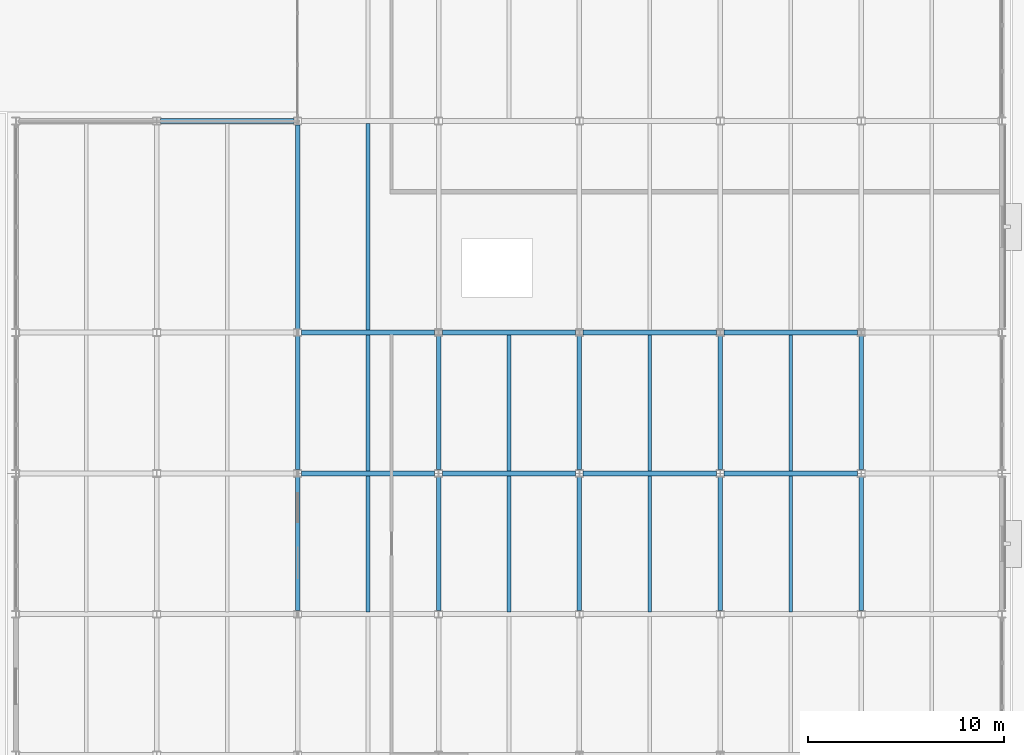
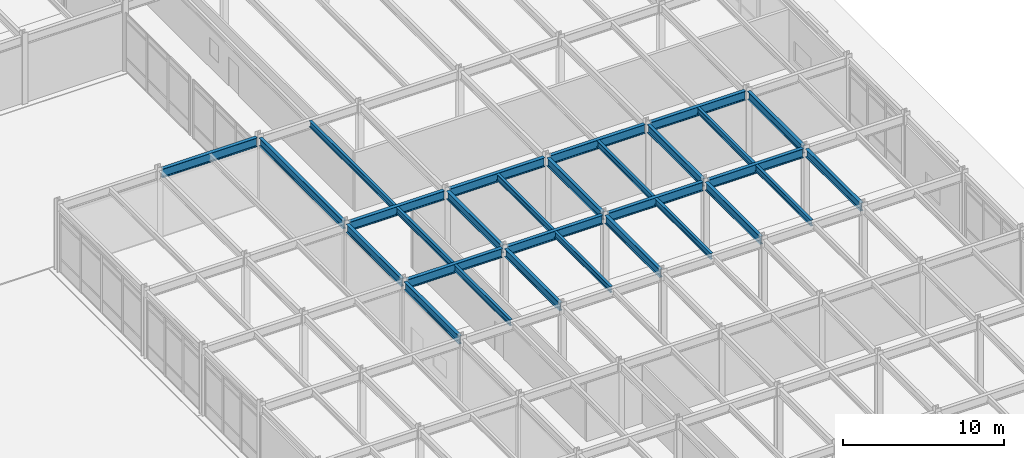
# One storey, part 45 of 104: 29 beams.
"""IFC4 building model written with IfcOpenShell, lengths in metres."""

from ifc_helpers import new_model, si_unit, direction, frame, origin, origin_2d, place, context, subcontext, project, spatial, i_section, extrude, material, material_profile, profile_set, type_object, element, save


model = new_model("IFC4")

# Units and contexts
model_context = context("Model", 3, precision=1e-05, world=origin(), true_north=direction((0.0, 1.0)))
body_context = subcontext(model_context, "Body", "Model", "MODEL_VIEW")
ifc_project = project(units=[si_unit("LENGTHUNIT", "METRE"), si_unit("AREAUNIT", "SQUARE_METRE"), si_unit("VOLUMEUNIT", "CUBIC_METRE"), si_unit("PLANEANGLEUNIT", "RADIAN"), si_unit("MASSUNIT", "GRAM", prefix="KILO")], contexts=[model_context])

# Site, building, storey
site_placement = place(None, origin())
site = spatial("IfcSite", under=ifc_project, at=site_placement, CompositionType="ELEMENT")
building_placement = place(site_placement, origin())
building = spatial("IfcBuilding", under=site, at=building_placement, Name="Vaelcorin Mobility Hub", CompositionType="ELEMENT")
storey_placement = place(building_placement, origin())
storey = spatial("IfcBuildingStorey", under=building, at=storey_placement, Name="L00", CompositionType="ELEMENT", Elevation=0.0)

# Beams
ifc_material = material(Name="Steel ASTM A992 Grade 50", Category="steel")
ifc_material_profile_1 = material_profile(ifc_material, i_section(OverallWidth=0.19091796875, OverallDepth=0.4599609375, WebThickness=0.010009765625, FlangeThickness=0.01611328125, FilletRadius=0.012939453125, at=origin_2d()), Name="W18X55")
ifc_profile_set_1 = profile_set([ifc_material_profile_1], Name="Steel ASTM A992 Grade 50")
beam_type_1 = type_object("IfcBeamType", Name="BM-W18X55", PredefinedType="JOIST", material=ifc_profile_set_1)
for number, where, z_axis, x_axis, name in (
    (1, (171.60009765625, 34.925048828125, 4.909912109375), (0.0, 1.0, 0.0), (-1.0, 0.0, 0.0), "L00 Beam V5-L00-J-03-05-1"),
    (2, (171.60009765625, 42.125, 4.909912109375), (0.0, 1.0, 0.0), (-1.0, 0.0, 0.0), "L00 Beam V5-L00-J-03-06-1"),
):
    element("IfcBeam", number, at=place(storey_placement, frame(where, z_axis=z_axis, x_axis=x_axis)), inside=storey, type_object=beam_type_1, Name=name, PredefinedType="JOIST", context=body_context, shape_type="SweptSolid", body=[
        extrude(i_section(OverallWidth=0.19091796875, OverallDepth=0.4599609375, WebThickness=0.010009765625, FlangeThickness=0.01611328125, FilletRadius=0.012939453125, at=origin_2d()), origin(), (0.0, 0.0, 1.0), 6.949951171875),
    ])
beam_1_placement = place(storey_placement, frame((171.60009765625, 49.324951171875, 4.909912109375), z_axis=(0.0, 1.0, 0.0), x_axis=(-1.0, 0.0, 0.0)))
element("IfcBeam", 3, at=beam_1_placement, inside=storey, type_object=beam_type_1, Name="L00 Beam V5-L00-J-03-07-1", PredefinedType="JOIST", context=body_context, shape_type="SweptSolid", body=[
    extrude(i_section(OverallWidth=0.19091796875, OverallDepth=0.4599609375, WebThickness=0.010009765625, FlangeThickness=0.01611328125, FilletRadius=0.012939453125, at=origin_2d()), origin(), (0.0, 0.0, 1.0), 10.550048828125),
])
for number, where, z_axis, x_axis, name in (
    (4, (178.800048828125, 34.925048828125, 4.909912109375), (0.0, 1.0, 0.0), (-1.0, 0.0, 0.0), "L00 Beam V5-L00-J-04-05-1"),
    (5, (178.800048828125, 42.125, 4.909912109375), (0.0, 1.0, 0.0), (-1.0, 0.0, 0.0), "L00 Beam V5-L00-J-04-06-1"),
    (6, (186.0, 34.925048828125, 4.909912109375), (0.0, 1.0, 0.0), (-1.0, 0.0, 0.0), "L00 Beam V5-L00-J-05-05-1"),
    (7, (186.0, 42.125, 4.909912109375), (0.0, 1.0, 0.0), (-1.0, 0.0, 0.0), "L00 Beam V5-L00-J-05-06-1"),
    (8, (193.199951171875, 34.925048828125, 4.909912109375), (0.0, 1.0, 0.0), (-1.0, 0.0, 0.0), "L00 Beam V5-L00-J-06-05-1"),
    (9, (193.199951171875, 42.125, 4.909912109375), (0.0, 1.0, 0.0), (-1.0, 0.0, 0.0), "L00 Beam V5-L00-J-06-06-1"),
):
    element("IfcBeam", number, at=place(storey_placement, frame(where, z_axis=z_axis, x_axis=x_axis)), inside=storey, type_object=beam_type_1, Name=name, PredefinedType="JOIST", context=body_context, shape_type="SweptSolid", body=[
        extrude(i_section(OverallWidth=0.19091796875, OverallDepth=0.4599609375, WebThickness=0.010009765625, FlangeThickness=0.01611328125, FilletRadius=0.012939453125, at=origin_2d()), origin(), (0.0, 0.0, 1.0), 6.949951171875),
    ])
ifc_material_profile_2 = material_profile(ifc_material, i_section(OverallWidth=0.22900390625, OverallDepth=0.612060546875, WebThickness=0.011962890625, FlangeThickness=0.01953125, FilletRadius=0.014892578125, at=origin_2d()), Name="W24X84")
ifc_profile_set_2 = profile_set([ifc_material_profile_2], Name="Steel ASTM A992 Grade 50")
beam_type_2 = type_object("IfcBeamType", Name="BM-W24X84", PredefinedType="BEAM", material=ifc_profile_set_2)
for number, where, z_axis, x_axis, name in (
    (10, (168.0, 34.988037109375, 4.833984375), (0.0, 1.0, 0.0), (-1.0, 0.0, 0.0), "L00 Beam V5-L00-GY-03-05"),
    (11, (168.0, 42.18798828125, 4.833984375), (0.0, 1.0, 0.0), (-1.0, 0.0, 0.0), "L00 Beam V5-L00-GY-03-06"),
):
    element("IfcBeam", number, at=place(storey_placement, frame(where, z_axis=z_axis, x_axis=x_axis)), inside=storey, type_object=beam_type_2, Name=name, PredefinedType="BEAM", context=body_context, shape_type="SweptSolid", body=[
        extrude(i_section(OverallWidth=0.22900390625, OverallDepth=0.612060546875, WebThickness=0.011962890625, FlangeThickness=0.01953125, FilletRadius=0.014892578125, at=origin_2d()), origin(), (0.0, 0.0, 1.0), 6.823974609375),
    ])
beam_2_placement = place(storey_placement, frame((168.0, 49.387939453125, 4.833984375), z_axis=(0.0, 1.0, 0.0), x_axis=(-1.0, 0.0, 0.0)))
element("IfcBeam", 12, at=beam_2_placement, inside=storey, type_object=beam_type_2, Name="L00 Beam V5-L00-GY-03-07", PredefinedType="BEAM", context=body_context, shape_type="SweptSolid", body=[
    extrude(i_section(OverallWidth=0.22900390625, OverallDepth=0.612060546875, WebThickness=0.011962890625, FlangeThickness=0.01953125, FilletRadius=0.014892578125, at=origin_2d()), origin(), (0.0, 0.0, 1.0), 10.424072265625),
])
for number, where, z_axis, x_axis, name in (
    (13, (175.199951171875, 34.988037109375, 4.833984375), (0.0, 1.0, 0.0), (-1.0, 0.0, 0.0), "L00 Beam V5-L00-GY-04-05"),
    (14, (175.199951171875, 42.18798828125, 4.833984375), (0.0, 1.0, 0.0), (-1.0, 0.0, 0.0), "L00 Beam V5-L00-GY-04-06"),
    (15, (182.39990234375, 34.988037109375, 4.833984375), (0.0, 1.0, 0.0), (-1.0, 0.0, 0.0), "L00 Beam V5-L00-GY-05-05"),
    (16, (182.39990234375, 42.18798828125, 4.833984375), (0.0, 1.0, 0.0), (-1.0, 0.0, 0.0), "L00 Beam V5-L00-GY-05-06"),
    (17, (189.60009765625, 34.988037109375, 4.833984375), (0.0, 1.0, 0.0), (-1.0, 0.0, 0.0), "L00 Beam V5-L00-GY-06-05"),
    (18, (189.60009765625, 42.18798828125, 4.833984375), (0.0, 1.0, 0.0), (-1.0, 0.0, 0.0), "L00 Beam V5-L00-GY-06-06"),
    (19, (196.800048828125, 34.988037109375, 4.833984375), (0.0, 1.0, 0.0), (-1.0, 0.0, 0.0), "L00 Beam V5-L00-GY-07-05"),
    (20, (196.800048828125, 42.18798828125, 4.833984375), (0.0, 1.0, 0.0), (-1.0, 0.0, 0.0), "L00 Beam V5-L00-GY-07-06"),
):
    element("IfcBeam", number, at=place(storey_placement, frame(where, z_axis=z_axis, x_axis=x_axis)), inside=storey, type_object=beam_type_2, Name=name, PredefinedType="BEAM", context=body_context, shape_type="SweptSolid", body=[
        extrude(i_section(OverallWidth=0.22900390625, OverallDepth=0.612060546875, WebThickness=0.011962890625, FlangeThickness=0.01953125, FilletRadius=0.014892578125, at=origin_2d()), origin(), (0.0, 0.0, 1.0), 6.823974609375),
    ])
ifc_material_profile_3 = material_profile(ifc_material, i_section(OverallWidth=0.25390625, OverallDepth=0.68310546875, WebThickness=0.012451171875, FlangeThickness=0.018798828125, FilletRadius=0.01611328125, at=origin_2d()), Name="W27X94")
ifc_profile_set_3 = profile_set([ifc_material_profile_3], Name="Steel ASTM A992 Grade 50")
beam_type_3 = type_object("IfcBeamType", Name="BM-W27X94", PredefinedType="BEAM", material=ifc_profile_set_3)
beam_3_placement = place(storey_placement, frame((168.196044921875, 42.0, 4.798095703125), z_axis=(1.0, 0.0, 0.0), x_axis=(0.0, 1.0, 0.0)))
element("IfcBeam", 21, at=beam_3_placement, inside=storey, type_object=beam_type_3, Name="L00 Beam V5-L00-GX-06-03", PredefinedType="BEAM", context=body_context, shape_type="SweptSolid", body=[
    extrude(i_section(OverallWidth=0.25390625, OverallDepth=0.68310546875, WebThickness=0.012451171875, FlangeThickness=0.018798828125, FilletRadius=0.01611328125, at=origin_2d()), origin(), (0.0, 0.0, 1.0), 6.807861328125),
])
for number, where, z_axis, x_axis, name in (
    (22, (175.39599609375, 42.0, 4.798095703125), (1.0, 0.0, 0.0), (0.0, 1.0, 0.0), "L00 Beam V5-L00-GX-06-04"),
    (23, (182.595947265625, 42.0, 4.798095703125), (1.0, 0.0, 0.0), (0.0, 1.0, 0.0), "L00 Beam V5-L00-GX-06-05"),
    (24, (189.7958984375, 42.0, 4.798095703125), (1.0, 0.0, 0.0), (0.0, 1.0, 0.0), "L00 Beam V5-L00-GX-06-06"),
):
    element("IfcBeam", number, at=place(storey_placement, frame(where, z_axis=z_axis, x_axis=x_axis)), inside=storey, type_object=beam_type_3, Name=name, PredefinedType="BEAM", context=body_context, shape_type="SweptSolid", body=[
        extrude(i_section(OverallWidth=0.25390625, OverallDepth=0.68310546875, WebThickness=0.012451171875, FlangeThickness=0.018798828125, FilletRadius=0.01611328125, at=origin_2d()), origin(), (0.0, 0.0, 1.0), 6.80810546875),
    ])
beam_4_placement = place(storey_placement, frame((168.196044921875, 49.199951171875, 4.798095703125), z_axis=(1.0, 0.0, 0.0), x_axis=(0.0, 1.0, 0.0)))
element("IfcBeam", 25, at=beam_4_placement, inside=storey, type_object=beam_type_3, Name="L00 Beam V5-L00-GX-07-03", PredefinedType="BEAM", context=body_context, shape_type="SweptSolid", body=[
    extrude(i_section(OverallWidth=0.25390625, OverallDepth=0.68310546875, WebThickness=0.012451171875, FlangeThickness=0.018798828125, FilletRadius=0.01611328125, at=origin_2d()), origin(), (0.0, 0.0, 1.0), 6.807861328125),
])
for number, where, z_axis, x_axis, name in (
    (26, (175.39599609375, 49.199951171875, 4.798095703125), (1.0, 0.0, 0.0), (0.0, 1.0, 0.0), "L00 Beam V5-L00-GX-07-04"),
    (27, (182.595947265625, 49.199951171875, 4.798095703125), (1.0, 0.0, 0.0), (0.0, 1.0, 0.0), "L00 Beam V5-L00-GX-07-05"),
    (28, (189.7958984375, 49.199951171875, 4.798095703125), (1.0, 0.0, 0.0), (0.0, 1.0, 0.0), "L00 Beam V5-L00-GX-07-06"),
):
    element("IfcBeam", number, at=place(storey_placement, frame(where, z_axis=z_axis, x_axis=x_axis)), inside=storey, type_object=beam_type_3, Name=name, PredefinedType="BEAM", context=body_context, shape_type="SweptSolid", body=[
        extrude(i_section(OverallWidth=0.25390625, OverallDepth=0.68310546875, WebThickness=0.012451171875, FlangeThickness=0.018798828125, FilletRadius=0.01611328125, at=origin_2d()), origin(), (0.0, 0.0, 1.0), 6.80810546875),
    ])
beam_5_placement = place(storey_placement, frame((160.99609375, 60.0, 4.798095703125), z_axis=(1.0, 0.0, 0.0), x_axis=(0.0, 1.0, 0.0)))
element("IfcBeam", 29, at=beam_5_placement, inside=storey, type_object=beam_type_3, Name="L00 Beam V5-L00-GX-08-02", PredefinedType="BEAM", context=body_context, shape_type="SweptSolid", body=[
    extrude(i_section(OverallWidth=0.25390625, OverallDepth=0.68310546875, WebThickness=0.012451171875, FlangeThickness=0.018798828125, FilletRadius=0.01611328125, at=origin_2d()), origin(), (0.0, 0.0, 1.0), 6.807861328125),
])

save(model, "model.ifc")
